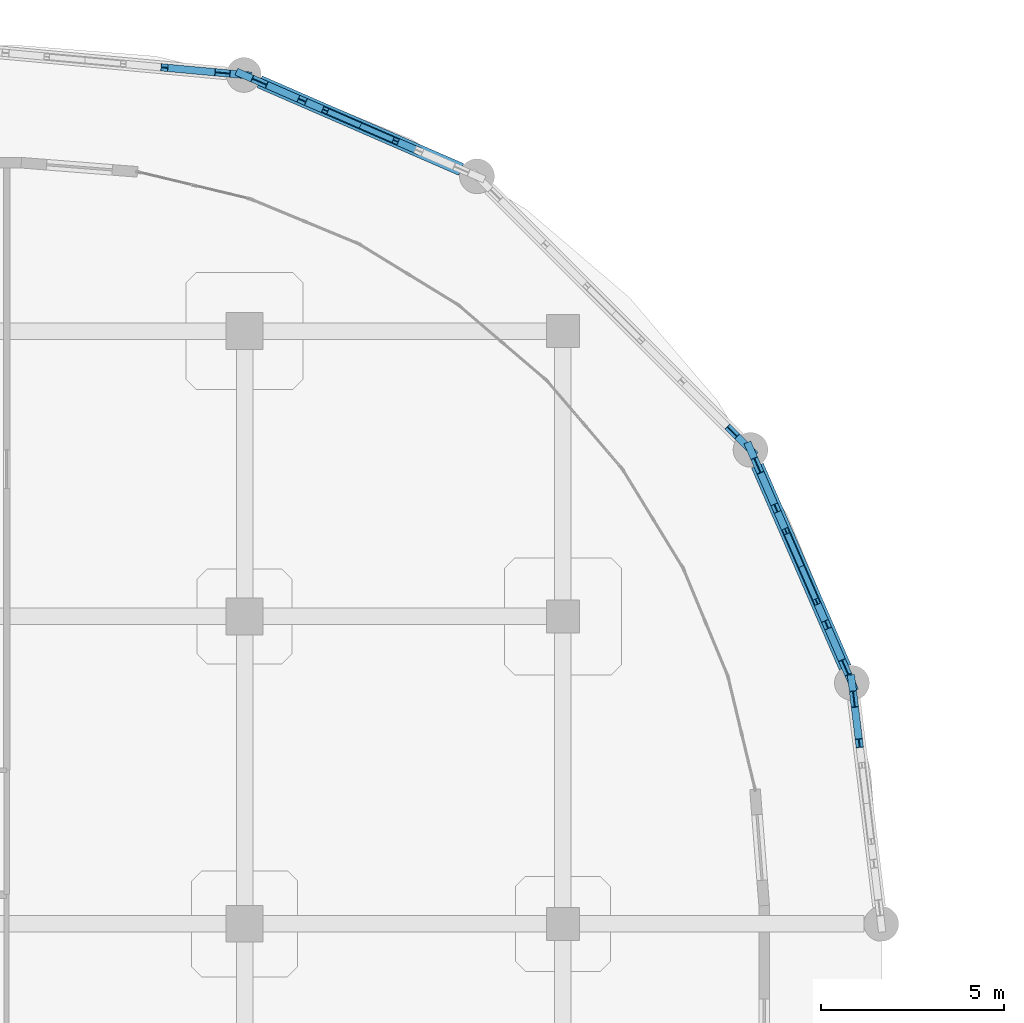
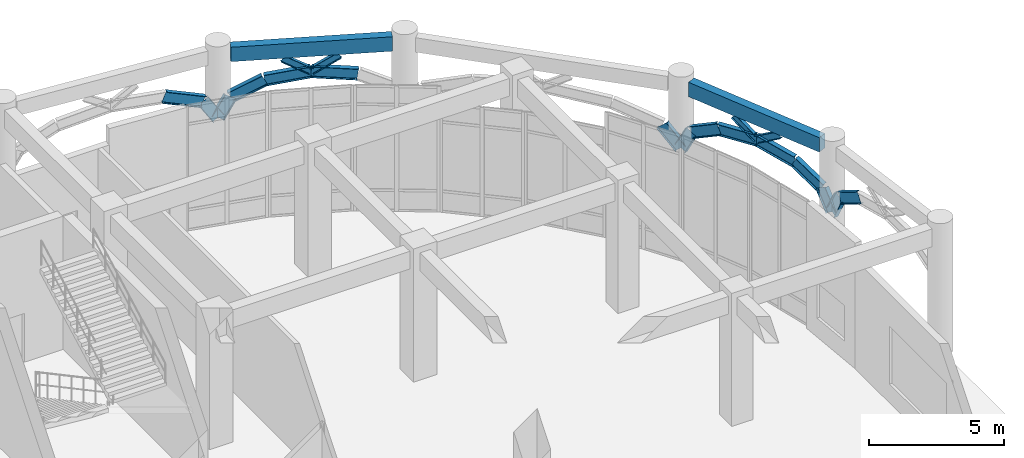
# One storey, part 49 of 82: 17 beams, 4 members.
"""IFC4 building model written with IfcOpenShell, lengths in metres."""

from ifc_helpers import new_model, si_unit, derived_unit, direction, frame, origin, origin_2d, place, context, subcontext, project, spatial, rectangle, i_section, extrude, material, material_profile, profile_set, type_object, element, save


model = new_model("IFC4")

# Units and contexts
model_context = context("Model", 3, precision=1e-05, world=origin(), true_north=direction((0.0, 1.0)))
body_context = subcontext(model_context, "Body", "Model", "MODEL_VIEW")
ifc_project = project(units=[si_unit("LENGTHUNIT", "METRE"), si_unit("AREAUNIT", "SQUARE_METRE"), si_unit("VOLUMEUNIT", "CUBIC_METRE"), si_unit("PLANEANGLEUNIT", "RADIAN"), si_unit("MASSUNIT", "GRAM", prefix="KILO"), derived_unit("THERMALTRANSMITTANCEUNIT", [(si_unit("MASSUNIT", "GRAM", prefix="KILO"), 1), (si_unit("TIMEUNIT", "SECOND"), -3), (si_unit("THERMODYNAMICTEMPERATUREUNIT", "KELVIN"), -1)])], contexts=[model_context])

# Site, building, storey
site_placement = place(None, origin())
site = spatial("IfcSite", under=ifc_project, at=site_placement, CompositionType="ELEMENT")
building_placement = place(site_placement, origin())
building = spatial("IfcBuilding", under=site, at=building_placement, Name="Qinzheling Arcade Emporium", CompositionType="ELEMENT")
storey_placement = place(building_placement, origin())
storey = spatial("IfcBuildingStorey", under=building, at=storey_placement, Name="L01", CompositionType="ELEMENT", Elevation=0.0)

# Beams
ifc_material_1 = material(Name="Weathering steel Q355NH", Category="steel")
ifc_material_profile_1 = material_profile(ifc_material_1, i_section(OverallWidth=0.199951171875, OverallDepth=0.5, WebThickness=0.010009765625, FlangeThickness=0.01611328125, FilletRadius=0.01806640625, at=origin_2d()), Name="HN 500x200x10x16", Category="steel")
ifc_profile_set_1 = profile_set([ifc_material_profile_1], Name="Weathering steel Q355NH")
beam_type_1 = type_object("IfcBeamType", Name="Arcade End Arch Rib HN500 Q355NH", PredefinedType="BEAM", material=ifc_profile_set_1)
beam_1_placement = place(storey_placement, frame((147.299072265625, 95.535888671875, 4.070068359375), z_axis=(-0.105371552167, 0.869755821904, -0.482101282157), x_axis=(-0.992741060672, -0.120271303542, 0.0)))
element("IfcBeam", 1, at=beam_1_placement, inside=storey, type_object=beam_type_1, Name="Curved Arcade Entrance Arch ARC-L01-CV6-B01-C05", PredefinedType="BEAM", context=body_context, shape_type="SweptSolid", body=[
    extrude(i_section(OverallWidth=0.199951171875, OverallDepth=0.5, WebThickness=0.010009765625, FlangeThickness=0.01611328125, FilletRadius=0.01806640625, at=origin_2d()), origin(), (0.0, 0.0, 1.0), 1.385498046875),
])
beam_2_placement = place(storey_placement, frame((147.153076171875, 96.740966796875, 3.402099609375), z_axis=(-0.053182540342, 0.434604831939, -0.899049641265), x_axis=(-0.992595857829, -0.121463834208, 0.0)))
element("IfcBeam", 2, at=beam_2_placement, inside=storey, type_object=beam_type_1, Name="Curved Arcade Entrance Arch ARC-L01-CV6-B01-C06", PredefinedType="BEAM", context=body_context, shape_type="SweptSolid", body=[
    extrude(i_section(OverallWidth=0.199951171875, OverallDepth=0.5, WebThickness=0.010009765625, FlangeThickness=0.01611328125, FilletRadius=0.01806640625, at=origin_2d()), origin(), (0.0, 0.0, 1.0), 1.014404296875),
])
beam_3_placement = place(storey_placement, frame((147.09912109375, 97.181884765625, 2.489990234375), z_axis=(-0.181648345444, 0.416933013362, 0.890601336719), x_axis=(-0.916769795924, -0.399416000282, 0.0)))
element("IfcBeam", 3, at=beam_3_placement, inside=storey, type_object=beam_type_1, Name="Curved Arcade Entrance Arch ARC-L01-CV6-B02-C01", PredefinedType="BEAM", context=body_context, shape_type="SweptSolid", body=[
    extrude(i_section(OverallWidth=0.199951171875, OverallDepth=0.5, WebThickness=0.010009765625, FlangeThickness=0.01611328125, FilletRadius=0.01806640625, at=origin_2d()), origin(), (0.0, 0.0, 1.0), 1.024169921875),
])
beam_4_placement = place(storey_placement, frame((146.9130859375, 97.60888671875, 3.402099609375), z_axis=(-0.353050593121, 0.811829385049, 0.465068089927), x_axis=(-0.917036474266, -0.398803341091, 0.0)))
element("IfcBeam", 4, at=beam_4_placement, inside=storey, type_object=beam_type_1, Name="Curved Arcade Entrance Arch ARC-L01-CV6-B02-C02", PredefinedType="BEAM", context=body_context, shape_type="SweptSolid", body=[
    extrude(i_section(OverallWidth=0.199951171875, OverallDepth=0.5, WebThickness=0.010009765625, FlangeThickness=0.01611328125, FilletRadius=0.01806640625, at=origin_2d()), origin(), (0.0, 0.0, 1.0), 1.436279296875),
])
beam_5_placement = place(storey_placement, frame((146.406005859375, 98.77490234375, 4.070068359375), z_axis=(-0.394475009207, 0.908239038489, 0.139611303541), x_axis=(-0.917221957661, -0.398376556017, 0.0)))
element("IfcBeam", 5, at=beam_5_placement, inside=storey, type_object=beam_type_1, Name="Curved Arcade Entrance Arch ARC-L01-CV6-B02-C03", PredefinedType="BEAM", context=body_context, shape_type="SweptSolid", body=[
    extrude(i_section(OverallWidth=0.199951171875, OverallDepth=0.5, WebThickness=0.010009765625, FlangeThickness=0.01611328125, FilletRadius=0.01806640625, at=origin_2d()), origin(), (0.0, 0.0, 1.0), 1.75390625),
])
beam_6_placement = place(storey_placement, frame((145.714111328125, 100.367919921875, 4.31494140625), z_axis=(-0.394792140931, 0.908091552385, -0.139674256562), x_axis=(-0.91708123515, -0.398700398965, 0.0)))
element("IfcBeam", 6, at=beam_6_placement, inside=storey, type_object=beam_type_1, Name="Curved Arcade Entrance Arch ARC-L01-CV6-B02-C04", PredefinedType="BEAM", context=body_context, shape_type="SweptSolid", body=[
    extrude(i_section(OverallWidth=0.199951171875, OverallDepth=0.5, WebThickness=0.010009765625, FlangeThickness=0.01611328125, FilletRadius=0.01806640625, at=origin_2d()), origin(), (0.0, 0.0, 1.0), 1.753173828125),
])
beam_7_placement = place(storey_placement, frame((145.02197265625, 101.9599609375, 4.070068359375), z_axis=(-0.353050593121, 0.811829385049, -0.465068089927), x_axis=(-0.917036474266, -0.398803341091, 0.0)))
element("IfcBeam", 7, at=beam_7_placement, inside=storey, type_object=beam_type_1, Name="Curved Arcade Entrance Arch ARC-L01-CV6-B02-C05", PredefinedType="BEAM", context=body_context, shape_type="SweptSolid", body=[
    extrude(i_section(OverallWidth=0.199951171875, OverallDepth=0.5, WebThickness=0.010009765625, FlangeThickness=0.01611328125, FilletRadius=0.01806640625, at=origin_2d()), origin(), (0.0, 0.0, 1.0), 1.436279296875),
])
beam_8_placement = place(storey_placement, frame((144.514892578125, 103.1259765625, 3.402099609375), z_axis=(-0.181417812558, 0.416951056719, -0.890639878732), x_axis=(-0.916961666112, -0.39897531613, 0.0)))
element("IfcBeam", 8, at=beam_8_placement, inside=storey, type_object=beam_type_1, Name="Curved Arcade Entrance Arch ARC-L01-CV6-B02-C06", PredefinedType="BEAM", context=body_context, shape_type="SweptSolid", body=[
    extrude(i_section(OverallWidth=0.199951171875, OverallDepth=0.5, WebThickness=0.010009765625, FlangeThickness=0.01611328125, FilletRadius=0.01806640625, at=origin_2d()), origin(), (0.0, 0.0, 1.0), 1.024169921875),
])
beam_9_placement = place(storey_placement, frame((144.3291015625, 103.552978515625, 2.489990234375), z_axis=(-0.433938091339, 0.43372672354, 0.789670097049), x_axis=(-0.706934505209, -0.707279015202, 0.0)))
element("IfcBeam", 9, at=beam_9_placement, inside=storey, type_object=beam_type_1, Name="Curved Arcade Entrance Arch ARC-L01-CV6-B03-C01", PredefinedType="BEAM", context=body_context, shape_type="SweptSolid", body=[
    extrude(i_section(OverallWidth=0.199951171875, OverallDepth=0.5, WebThickness=0.010009765625, FlangeThickness=0.01611328125, FilletRadius=0.01806640625, at=origin_2d()), origin(), (0.0, 0.0, 1.0), 1.155029296875),
])
beam_10_placement = place(storey_placement, frame((135.260009765625, 111.720947265625, 4.070068359375), z_axis=(-0.907891779518, 0.39526219323, 0.139643529345), x_axis=(-0.399173357498, -0.916875471732, 0.0)))
element("IfcBeam", 10, at=beam_10_placement, inside=storey, type_object=beam_type_1, Name="Curved Arcade Entrance Arch ARC-L01-CV6-B04-C03", PredefinedType="BEAM", context=body_context, shape_type="SweptSolid", body=[
    extrude(i_section(OverallWidth=0.199951171875, OverallDepth=0.5, WebThickness=0.010009765625, FlangeThickness=0.01611328125, FilletRadius=0.01806640625, at=origin_2d()), origin(), (0.0, 0.0, 1.0), 1.753662109375),
])
beam_11_placement = place(storey_placement, frame((133.66796875, 112.4140625, 4.31494140625), z_axis=(-0.908239038489, 0.394475009207, -0.139611303541), x_axis=(-0.398376556017, -0.917221957661, 0.0)))
element("IfcBeam", 11, at=beam_11_placement, inside=storey, type_object=beam_type_1, Name="Curved Arcade Entrance Arch ARC-L01-CV6-B04-C04", PredefinedType="BEAM", context=body_context, shape_type="SweptSolid", body=[
    extrude(i_section(OverallWidth=0.199951171875, OverallDepth=0.5, WebThickness=0.010009765625, FlangeThickness=0.01611328125, FilletRadius=0.01806640625, at=origin_2d()), origin(), (0.0, 0.0, 1.0), 1.75390625),
])
beam_12_placement = place(storey_placement, frame((132.074951171875, 113.10595703125, 4.070068359375), z_axis=(-0.811829385049, 0.353050593121, -0.465068089927), x_axis=(-0.398803341091, -0.917036474266, 0.0)))
element("IfcBeam", 12, at=beam_12_placement, inside=storey, type_object=beam_type_1, Name="Curved Arcade Entrance Arch ARC-L01-CV6-B04-C05", PredefinedType="BEAM", context=body_context, shape_type="SweptSolid", body=[
    extrude(i_section(OverallWidth=0.199951171875, OverallDepth=0.5, WebThickness=0.010009765625, FlangeThickness=0.01611328125, FilletRadius=0.01806640625, at=origin_2d()), origin(), (0.0, 0.0, 1.0), 1.436279296875),
])
beam_13_placement = place(storey_placement, frame((130.908935546875, 113.613037109375, 3.402099609375), z_axis=(-0.416933013362, 0.181648345444, -0.890601336719), x_axis=(-0.399416000282, -0.916769795924, 0.0)))
element("IfcBeam", 13, at=beam_13_placement, inside=storey, type_object=beam_type_1, Name="Curved Arcade Entrance Arch ARC-L01-CV6-B04-C06", PredefinedType="BEAM", context=body_context, shape_type="SweptSolid", body=[
    extrude(i_section(OverallWidth=0.199951171875, OverallDepth=0.5, WebThickness=0.010009765625, FlangeThickness=0.01611328125, FilletRadius=0.01806640625, at=origin_2d()), origin(), (0.0, 0.0, 1.0), 1.024169921875),
])
beam_14_placement = place(storey_placement, frame((130.48193359375, 113.799072265625, 2.489990234375), z_axis=(-0.537258716464, 0.049804604169, 0.841945706674), x_axis=(-0.092305574951, -0.995730727071, 0.0)))
element("IfcBeam", 14, at=beam_14_placement, inside=storey, type_object=beam_type_1, Name="Curved Arcade Entrance Arch ARC-L01-CV6-B05-C01", PredefinedType="BEAM", context=body_context, shape_type="SweptSolid", body=[
    extrude(i_section(OverallWidth=0.199951171875, OverallDepth=0.5, WebThickness=0.010009765625, FlangeThickness=0.01611328125, FilletRadius=0.01806640625, at=origin_2d()), origin(), (0.0, 0.0, 1.0), 1.083251953125),
])
beam_15_placement = place(storey_placement, frame((129.89990234375, 113.85302734375, 3.402099609375), z_axis=(-0.918559066964, 0.084403552865, 0.386167425817), x_axis=(-0.091501437712, -0.995804944202, 0.0)))
element("IfcBeam", 15, at=beam_15_placement, inside=storey, type_object=beam_type_1, Name="Curved Arcade Entrance Arch ARC-L01-CV6-B05-C02", PredefinedType="BEAM", context=body_context, shape_type="SweptSolid", body=[
    extrude(i_section(OverallWidth=0.199951171875, OverallDepth=0.5, WebThickness=0.010009765625, FlangeThickness=0.01611328125, FilletRadius=0.01806640625, at=origin_2d()), origin(), (0.0, 0.0, 1.0), 1.729736328125),
])

# Members
ifc_material_profile_2 = material_profile(ifc_material_1, i_section(OverallWidth=0.14990234375, OverallDepth=0.300048828125, WebThickness=0.006591796875, FlangeThickness=0.009033203125, FilletRadius=0.012939453125, at=origin_2d()), Name="HN 300x150x6.5x9", Category="steel")
ifc_profile_set_2 = profile_set([ifc_material_profile_2], Name="Weathering steel Q355NH")
member_type = type_object("IfcMemberType", Name="Arcade Spandrel Web Chord HN300 Q355NH", PredefinedType="CHORD", material=ifc_profile_set_2)
member_1_placement = place(storey_placement, frame((145.714111328125, 100.367919921875, 4.324951171875), z_axis=(0.340656775059, -0.78295473242, 0.52051402343), x_axis=(0.916966529265, 0.398964139001, 0.0)))
element("IfcMember", 16, at=member_1_placement, inside=storey, type_object=member_type, Name="Arcade Spandrel Web Chord ASW-L01-CV6-B02-W1", PredefinedType="CHORD", context=body_context, shape_type="SweptSolid", body=[
    extrude(i_section(OverallWidth=0.14990234375, OverallDepth=0.300048828125, WebThickness=0.006591796875, FlangeThickness=0.009033203125, FilletRadius=0.012939453125, at=origin_2d()), origin(), (0.0, 0.0, 1.0), 1.229736328125),
])
member_2_placement = place(storey_placement, frame((145.714111328125, 100.367919921875, 4.324951171875), z_axis=(-0.340991194202, 0.782671110281, 0.520721555736), x_axis=(-0.916770234245, -0.399414994214, 0.0)))
element("IfcMember", 17, at=member_2_placement, inside=storey, type_object=member_type, Name="Arcade Spandrel Web Chord ASW-L01-CV6-B02-W2", PredefinedType="CHORD", context=body_context, shape_type="SweptSolid", body=[
    extrude(i_section(OverallWidth=0.14990234375, OverallDepth=0.300048828125, WebThickness=0.006591796875, FlangeThickness=0.009033203125, FilletRadius=0.012939453125, at=origin_2d()), origin(), (0.0, 0.0, 1.0), 1.229248046875),
])
member_3_placement = place(storey_placement, frame((133.66796875, 112.4140625, 4.324951171875), z_axis=(0.782647154266, -0.340868659066, 0.520837776266), x_axis=(0.399304625038, 0.916818311566, 0.0)))
element("IfcMember", 18, at=member_3_placement, inside=storey, type_object=member_type, Name="Arcade Spandrel Web Chord ASW-L01-CV6-B04-W1", PredefinedType="CHORD", context=body_context, shape_type="SweptSolid", body=[
    extrude(i_section(OverallWidth=0.14990234375, OverallDepth=0.300048828125, WebThickness=0.006591796875, FlangeThickness=0.009033203125, FilletRadius=0.012939453125, at=origin_2d()), origin(), (0.0, 0.0, 1.0), 1.22900390625),
])
member_4_placement = place(storey_placement, frame((133.66796875, 112.4140625, 4.324951171875), z_axis=(-0.78295473242, 0.340656775059, 0.52051402343), x_axis=(-0.398964139001, -0.916966529265, 0.0)))
element("IfcMember", 19, at=member_4_placement, inside=storey, type_object=member_type, Name="Arcade Spandrel Web Chord ASW-L01-CV6-B04-W2", PredefinedType="CHORD", context=body_context, shape_type="SweptSolid", body=[
    extrude(i_section(OverallWidth=0.14990234375, OverallDepth=0.300048828125, WebThickness=0.006591796875, FlangeThickness=0.009033203125, FilletRadius=0.012939453125, at=origin_2d()), origin(), (0.0, 0.0, 1.0), 1.229736328125),
])

# Beams
ifc_material_2 = material(Name="Concrete C40", Category="concrete")
ifc_material_profile_3 = material_profile(ifc_material_2, rectangle(XDim=0.35009765625, YDim=0.64990234375, at=origin_2d()), Name="RC 350x650", Category="concrete")
ifc_profile_set_3 = profile_set([ifc_material_profile_3], Name="Concrete C40")
beam_type_2 = type_object("IfcBeamType", Name="RC Spandrel Edge Beam 350x650 C40", PredefinedType="SPANDREL", material=ifc_profile_set_3)
for number, where, z_axis, x_axis, name in (
    (20, (146.912109375, 97.613037109375, 5.409912109375), (-0.398833101569, 0.917023531374, 0.0), (-0.917023531374, -0.398833101569, 0.0), "Curved Arcade Spandrel BM-L01-CV6-B02"),
    (21, (136.422119140625, 111.216064453125, 5.409912109375), (-0.917023531374, 0.398833101569, 0.0), (-0.398833101569, -0.917023531374, 0.0), "Curved Arcade Spandrel BM-L01-CV6-B04"),
):
    element("IfcBeam", number, at=place(storey_placement, frame(where, z_axis=z_axis, x_axis=x_axis)), inside=storey, type_object=beam_type_2, Name=name, PredefinedType="SPANDREL", context=body_context, shape_type="SweptSolid", body=[
        extrude(rectangle(XDim=0.35009765625, YDim=0.64990234375, at=origin_2d()), origin(), (0.0, 0.0, 1.0), 6.007568359375),
    ])

save(model, "model.ifc")
